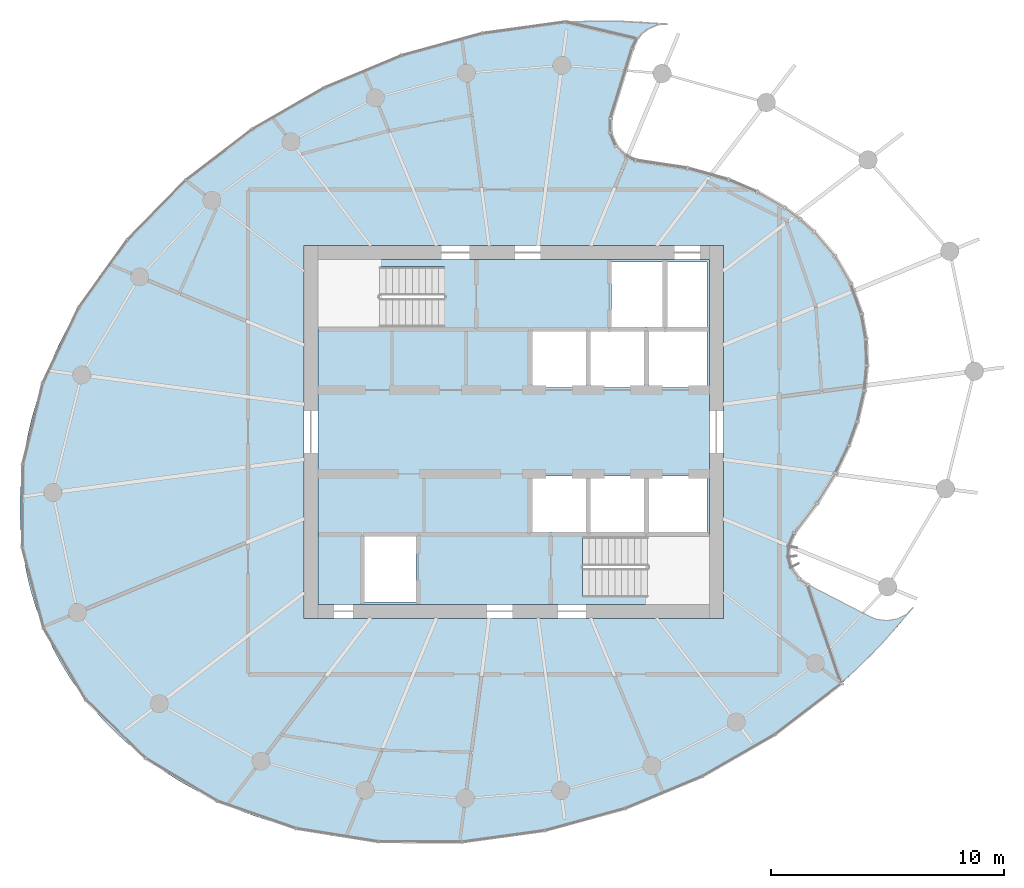
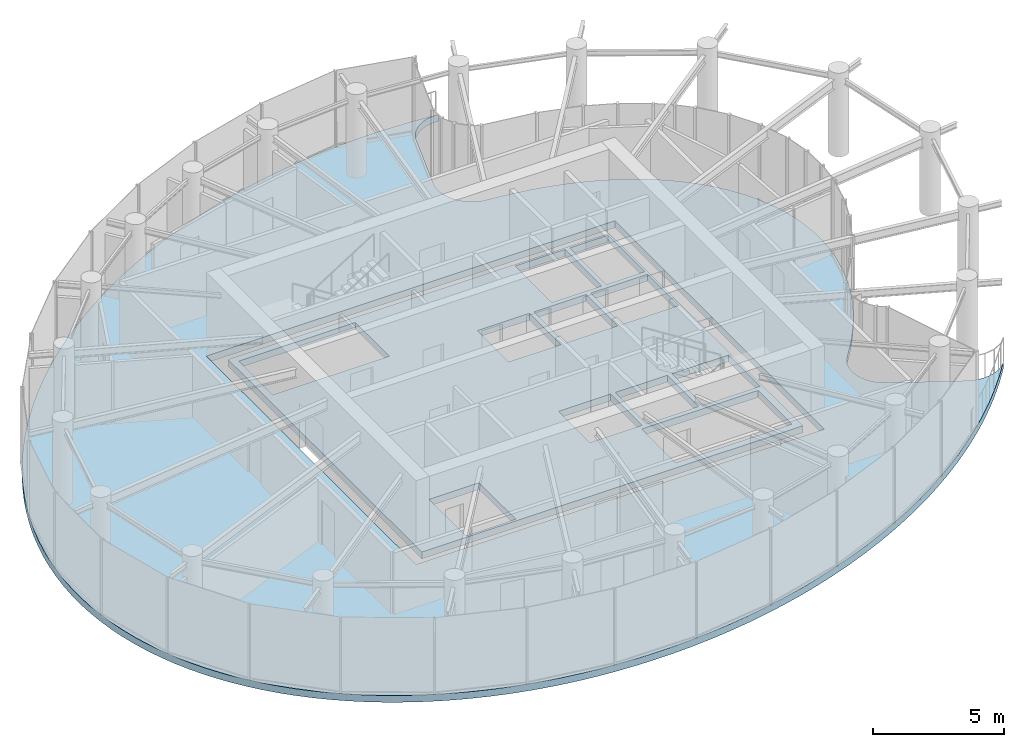
# One storey, part 8 of 14: 2 slabs.
"""IFC4 building model written with IfcOpenShell, lengths in metres."""

from ifc_helpers import new_model, si_unit, direction, frame, origin, place, context, subcontext, project, spatial, line, indexed_curve, outline, extrude, material, layer, layer_set, type_object, element, save


model = new_model("IFC4")

# Units and contexts
model_context = context("Model", 3, precision=1e-05, world=origin(), true_north=direction((0.0, 1.0)))
body_context = subcontext(model_context, "Body", "Model", "MODEL_VIEW")
ifc_project = project(units=[si_unit("LENGTHUNIT", "METRE"), si_unit("AREAUNIT", "SQUARE_METRE"), si_unit("VOLUMEUNIT", "CUBIC_METRE"), si_unit("PLANEANGLEUNIT", "RADIAN"), si_unit("MASSUNIT", "GRAM", prefix="KILO")], contexts=[model_context])

# Site, building, storey
site_placement = place(None, origin())
site = spatial("IfcSite", under=ifc_project, at=site_placement, CompositionType="ELEMENT")
building_placement = place(site_placement, origin())
building = spatial("IfcBuilding", under=site, at=building_placement, Name="Spindrift Exchange Tower", CompositionType="ELEMENT")
storey_placement = place(building_placement, frame((0.0, 0.0, 238.39990234375)))
storey = spatial("IfcBuildingStorey", under=building, at=storey_placement, Name="L58", CompositionType="ELEMENT", Elevation=238.39990234375)

# Slabs
ifc_material_1 = material(Name="Concrete 40 MPa", Category="concrete")
ifc_layer_1 = layer(ifc_material_1, 0.320068359375)
ifc_layer_set_1 = layer_set([ifc_layer_1], Name="RC Floor Slab 320 Concrete 40 MPa")
slab_type_1 = type_object("IfcSlabType", Name="RC Floor Slab 320 Concrete 40 MPa", PredefinedType="FLOOR", material=ifc_layer_set_1)
slab_1_placement = place(storey_placement, frame((0.0, 0.0, -0.31982421875)))
element("IfcSlab", 1, at=slab_1_placement, inside=storey, type_object=slab_type_1, Name="Floor slab L58", PredefinedType="FLOOR", context=body_context, shape_type="SweptSolid", body=[
    extrude(outline(indexed_curve([(69.148193359375, 40.46142578125), (68.563232421875, 39.7412109375), (67.8896484375, 38.9794921875), (67.4228515625, 38.488037109375), (66.697509765625, 37.775390625), (66.1982421875, 37.31689453125), (65.427001953125, 36.654541015625), (64.630615234375, 36.022705078125), (63.810302734375, 35.42138671875), (62.968505859375, 34.851806640625), (62.3955078125, 34.4892578125), (61.81396484375, 34.14111328125), (60.92626953125, 33.645263671875), (60.021240234375, 33.181884765625), (59.408935546875, 32.89111328125), (58.477783203125, 32.48291015625), (57.53271484375, 32.10791015625), (56.57470703125, 31.767333984375), (55.60498046875, 31.461181640625), (54.952880859375, 31.276611328125), (53.966552734375, 31.02978515625), (52.9716796875, 30.819580078125), (52.304443359375, 30.699951171875), (51.298583984375, 30.55224609375), (50.625, 30.475341796875), (49.61181640625, 30.392578125), (48.9345703125, 30.360107421875), (47.91796875, 30.345458984375), (47.240234375, 30.359130859375), (46.22509765625, 30.415771484375), (45.550048828125, 30.47802734375), (44.877197265625, 30.560302734375), (44.207275390625, 30.663330078125), (43.87353515625, 30.722412109375), (43.209228515625, 30.856689453125), (42.878662109375, 30.931884765625), (42.2216796875, 31.0986328125), (41.895263671875, 31.190185546875), (41.24755859375, 31.389892578125), (40.607421875, 31.612548828125), (40.290283203125, 31.732421875), (39.6630859375, 31.989501953125), (39.046142578125, 32.27001953125), (38.4404296875, 32.574462890625), (37.847412109375, 32.90283203125), (37.55615234375, 33.075927734375), (36.984619140625, 33.4404296875), (36.42919921875, 33.8291015625), (35.8916015625, 34.24169921875), (35.373291015625, 34.678466796875), (34.87548828125, 35.138671875), (34.400390625, 35.621826171875), (33.94921875, 36.127685546875), (33.5234375, 36.6552734375), (33.125, 37.203369140625), (32.936279296875, 37.48486328125), (32.580810546875, 38.06201171875), (32.255859375, 38.656982421875), (31.96240234375, 39.267822265625), (31.701171875, 39.893310546875), (31.47314453125, 40.531494140625), (31.27880859375, 41.180908203125), (31.118408203125, 41.839599609375), (30.99169921875, 42.50537109375), (30.8994140625, 43.1767578125), (30.84033203125, 43.85205078125), (30.814453125, 44.529296875), (30.8212890625, 45.20703125), (30.859619140625, 45.8837890625), (30.92919921875, 46.55810546875), (31.02880859375, 47.228515625), (31.08935546875, 47.56201171875), (31.1572265625, 47.89404296875), (31.31396484375, 48.5537109375), (31.49755859375, 49.2060546875), (31.59912109375, 49.529296875), (31.70703125, 49.8505859375), (31.94140625, 50.48681640625), (32.067626953125, 50.80126953125), (32.33740234375, 51.423095703125), (32.480712890625, 51.730224609375), (32.783447265625, 52.336669921875), (32.942626953125, 52.635986328125), (33.2763671875, 53.225830078125), (33.450439453125, 53.5166015625), (33.81298828125, 54.08935546875), (34.193603515625, 54.650390625), (34.390625, 54.926025390625), (34.797119140625, 55.468505859375), (35.00634765625, 55.735107421875), (35.65771484375, 56.51611328125), (36.342041015625, 57.267822265625), (36.815673828125, 57.752685546875), (37.302490234375, 58.224609375), (38.055908203125, 58.9072265625), (38.572998046875, 59.345458984375), (39.101318359375, 59.770263671875), (39.913818359375, 60.381591796875), (40.468017578125, 60.77197265625), (41.031494140625, 61.148193359375), (41.6044921875, 61.5107421875), (42.18603515625, 61.85888671875), (43.07373046875, 62.354736328125), (43.978759765625, 62.818115234375), (44.591064453125, 63.10888671875), (45.210205078125, 63.384765625), (46.15087890625, 63.770751953125), (46.785400390625, 64.009521484375), (47.42529296875, 64.232666015625), (48.070556640625, 64.440673828125), (48.720458984375, 64.633056640625), (49.703857421875, 64.891845703125), (50.3642578125, 65.044189453125), (51.0283203125, 65.180419921875), (52.0302734375, 65.353515625), (52.701416015625, 65.44775390625), (53.375, 65.524658203125), (54.38818359375, 65.607421875), (55.404296875, 65.6494140625), (56.4208984375, 65.64990234375), (57.436767578125, 65.60791015625), (58.112548828125, 65.5556640625), (58.698486328125, 65.493408203125), (58.59033203125, 65.50048828125), (58.4423828125, 65.495361328125), (58.29541015625, 65.475830078125), (58.15087890625, 65.44189453125), (58.0107421875, 65.393798828125), (57.8759765625, 65.33203125), (57.747802734375, 65.257568359375), (57.627685546875, 65.170654296875), (57.516845703125, 65.072265625), (57.416015625, 64.96337890625), (57.32666015625, 64.84521484375), (57.2490234375, 64.718994140625), (57.1845703125, 64.58544921875), (57.13330078125, 64.4462890625), (56.23974609375, 61.584228515625), (56.202392578125, 61.440185546875), (56.1796875, 61.29296875), (56.17138671875, 61.144287109375), (56.177978515625, 60.99560546875), (56.199462890625, 60.84814453125), (56.235107421875, 60.70361328125), (56.28515625, 60.5634765625), (56.3486328125, 60.4287109375), (56.42529296875, 60.301025390625), (56.51416015625, 60.181640625), (56.6142578125, 60.071533203125), (56.724853515625, 59.971923828125), (56.844970703125, 59.8837890625), (56.972900390625, 59.807861328125), (57.10791015625, 59.7451171875), (57.24853515625, 59.69580078125), (57.393310546875, 59.660888671875), (58.00244140625, 59.595703125), (58.47900390625, 59.535400390625), (59.219482421875, 59.41162109375), (59.968505859375, 59.246826171875), (60.469970703125, 59.11181640625), (60.7353515625, 59.031982421875), (61.22216796875, 58.868896484375), (61.736328125, 58.671630859375), (62.214111328125, 58.462890625), (62.45849609375, 58.345703125), (62.93994140625, 58.09228515625), (63.427734375, 57.801025390625), (63.884033203125, 57.492431640625), (64.322509765625, 57.15625), (64.739990234375, 56.79296875), (65.133544921875, 56.40283203125), (65.499755859375, 55.98681640625), (65.8359375, 55.54638671875), (66.125, 55.1064453125), (66.27783203125, 54.84326171875), (66.407470703125, 54.5986328125), (66.6279296875, 54.121826171875), (66.730224609375, 53.86474609375), (66.82275390625, 53.603759765625), (66.913330078125, 53.31298828125), (67.04150390625, 52.802978515625), (67.099365234375, 52.50439453125), (67.1416015625, 52.23095703125), (67.195556640625, 51.7060546875), (67.209716796875, 51.42919921875), (67.214599609375, 51.12744140625), (67.209716796875, 50.850830078125), (67.175048828125, 50.32275390625), (67.1416015625, 50.025634765625), (67.05908203125, 49.5029296875), (66.937744140625, 48.946044921875), (66.86865234375, 48.681640625), (66.716064453125, 48.1787109375), (66.52734375, 47.652099609375), (66.427490234375, 47.40283203125), (66.219482421875, 46.9287109375), (66.09814453125, 46.67529296875), (65.856689453125, 46.20849609375), (65.599853515625, 45.757080078125), (65.329833984375, 45.32080078125), (64.904296875, 44.69580078125), (64.60888671875, 44.298095703125), (64.172607421875, 43.754150390625), (64.08349609375, 43.635009765625), (64.006591796875, 43.50732421875), (63.942626953125, 43.372802734375), (63.892333984375, 43.232666015625), (63.856201171875, 43.08837890625), (63.834716796875, 42.94091796875), (63.82763671875, 42.792236328125), (63.83544921875, 42.6435546875), (63.85791015625, 42.496337890625), (63.89501953125, 42.352294921875), (63.94580078125, 42.21240234375), (64.010498046875, 42.078125), (64.088134765625, 41.951171875), (64.177978515625, 41.83251953125), (64.279052734375, 41.72314453125), (64.390380859375, 41.624267578125), (64.510986328125, 41.537109375), (64.639892578125, 41.46240234375), (67.30322265625, 40.085205078125), (67.43798828125, 40.023681640625), (67.578369140625, 39.9755859375), (67.72265625, 39.94189453125), (67.86962890625, 39.92236328125), (68.017822265625, 39.91748046875), (68.165771484375, 39.92724609375), (68.31201171875, 39.95166015625), (68.455078125, 39.990234375), (68.59375, 40.042724609375), (68.7265625, 40.108642578125), (68.852294921875, 40.187255859375), (68.969482421875, 40.278076171875), (69.0771484375, 40.3798828125)], segments=[line(1, 2, 3, 4, 5, 6, 7, 8, 9, 10, 11, 12, 13, 14, 15, 16, 17, 18, 19, 20, 21, 22, 23, 24, 25, 26, 27, 28, 29, 30, 31, 32, 33, 34, 35, 36, 37, 38, 39, 40, 41, 42, 43, 44, 45, 46, 47, 48, 49, 50, 51, 52, 53, 54, 55, 56, 57, 58, 59, 60, 61, 62, 63, 64, 65, 66, 67, 68, 69, 70, 71, 72, 73, 74, 75, 76, 77, 78, 79, 80, 81, 82, 83, 84, 85, 86, 87, 88, 89, 90, 91, 92, 93, 94, 95, 96, 97, 98, 99, 100, 101, 102, 103, 104, 105, 106, 107, 108, 109, 110, 111, 112, 113, 114, 115, 116, 117, 118, 119, 120, 121, 122, 123, 124, 125, 126, 127, 128, 129, 130, 131, 132, 133, 134, 135, 136, 137, 138, 139, 140, 141, 142, 143, 144, 145, 146, 147, 148, 149, 150, 151, 152, 153, 154, 155, 156, 157, 158, 159, 160, 161, 162, 163, 164, 165, 166, 167, 168, 169, 170, 171, 172, 173, 174, 175, 176, 177, 178, 179, 180, 181, 182, 183, 184, 185, 186, 187, 188, 189, 190, 191, 192, 193, 194, 195, 196, 197, 198, 199, 200, 201, 202, 203, 204, 205, 206, 207, 208, 209, 210, 211, 212, 213, 214, 215, 216, 217, 218, 219, 220, 221, 222, 223, 224, 225, 226, 227, 228, 229, 230, 231, 232, 233, 234, 235, 1)], self_intersect=False), holes=[indexed_curve([(43.0, 40.0), (61.0, 40.0), (61.0, 56.0), (43.0, 56.0)], segments=[line(1, 2, 3, 4, 1)], self_intersect=False)]), origin(), (0.0, 0.0, 1.0), 0.31982421875),
])
ifc_material_2 = material(Name="Concrete 50 MPa", Category="concrete")
ifc_layer_2 = layer(ifc_material_2, 0.320068359375)
ifc_layer_set_2 = layer_set([ifc_layer_2], Name="SL-CORE-FLOOR-320")
slab_type_2 = type_object("IfcSlabType", Name="SL-CORE-FLOOR-320", PredefinedType="FLOOR", material=ifc_layer_set_2)
slab_2_placement = place(storey_placement, frame((0.0, 0.0, -0.31982421875)))
element("IfcSlab", 2, at=slab_2_placement, inside=storey, type_object=slab_type_2, Name="L58 Core floor slab", PredefinedType="FLOOR", context=body_context, shape_type="SweptSolid", body=[
    extrude(outline(indexed_curve([(43.60009765625, 40.60009765625), (43.60009765625, 55.39990234375), (60.39990234375, 55.39990234375), (60.39990234375, 40.60009765625)], segments=[line(1, 2, 3, 4, 1)], self_intersect=False), holes=[indexed_curve([(45.60009765625, 43.5), (45.60009765625, 40.699951171875), (47.800048828125, 40.699951171875), (47.800048828125, 43.5)], segments=[line(1, 2, 3, 4, 1)], self_intersect=False), indexed_curve([(52.800048828125, 46.10009765625), (52.800048828125, 43.699951171875), (55.10009765625, 43.699951171875), (55.10009765625, 46.10009765625)], segments=[line(1, 2, 3, 4, 1)], self_intersect=False), indexed_curve([(55.300048828125, 46.10009765625), (55.300048828125, 43.699951171875), (57.60009765625, 43.699951171875), (57.60009765625, 46.10009765625)], segments=[line(1, 2, 3, 4, 1)], self_intersect=False), indexed_curve([(55.10009765625, 52.300048828125), (52.800048828125, 52.300048828125), (52.800048828125, 49.89990234375), (55.10009765625, 49.89990234375)], segments=[line(1, 2, 3, 4, 1)], self_intersect=False), indexed_curve([(57.60009765625, 52.300048828125), (55.300048828125, 52.300048828125), (55.300048828125, 49.89990234375), (57.60009765625, 49.89990234375)], segments=[line(1, 2, 3, 4, 1)], self_intersect=False), indexed_curve([(43.906005859375, 52.506103515625), (49.0439453125, 52.506103515625), (49.0439453125, 55.093994140625), (43.906005859375, 55.093994140625)], segments=[line(1, 2, 3, 4, 1)], self_intersect=False), indexed_curve([(60.093994140625, 40.906005859375), (60.093994140625, 43.493896484375), (54.9560546875, 43.493896484375), (54.9560546875, 40.906005859375)], segments=[line(1, 2, 3, 4, 1)], self_intersect=False), indexed_curve([(60.300048828125, 46.10009765625), (57.800048828125, 46.10009765625), (57.800048828125, 43.699951171875), (60.300048828125, 43.699951171875)], segments=[line(1, 2, 3, 4, 1)], self_intersect=False), indexed_curve([(57.800048828125, 52.300048828125), (57.800048828125, 49.89990234375), (60.300048828125, 49.89990234375), (60.300048828125, 52.300048828125)], segments=[line(1, 2, 3, 4, 1)], self_intersect=False), indexed_curve([(58.39990234375, 55.300048828125), (56.199951171875, 55.300048828125), (56.199951171875, 52.5), (58.39990234375, 52.5)], segments=[line(1, 2, 3, 4, 1)], self_intersect=False), indexed_curve([(60.300048828125, 55.300048828125), (58.60009765625, 55.300048828125), (58.60009765625, 52.5), (60.300048828125, 52.5)], segments=[line(1, 2, 3, 4, 1)], self_intersect=False)]), origin(), (0.0, 0.0, 1.0), 0.31982421875),
])

save(model, "model.ifc")
